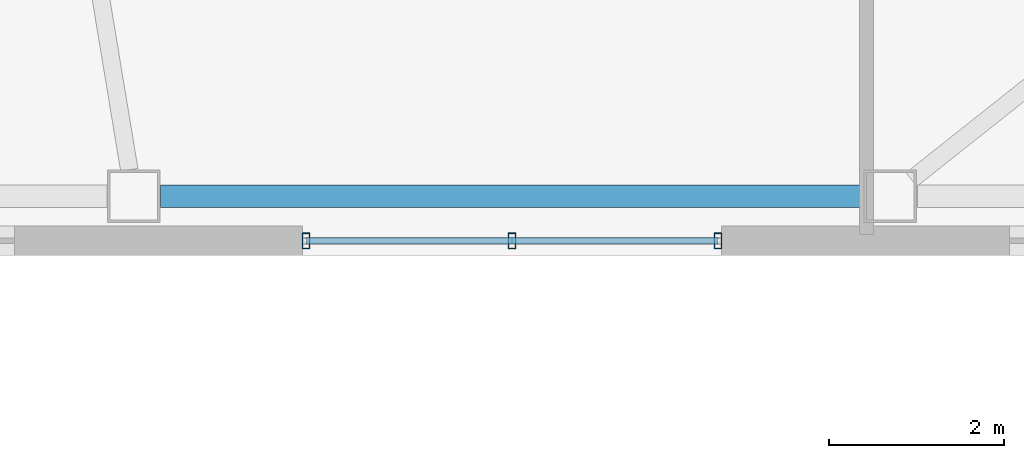
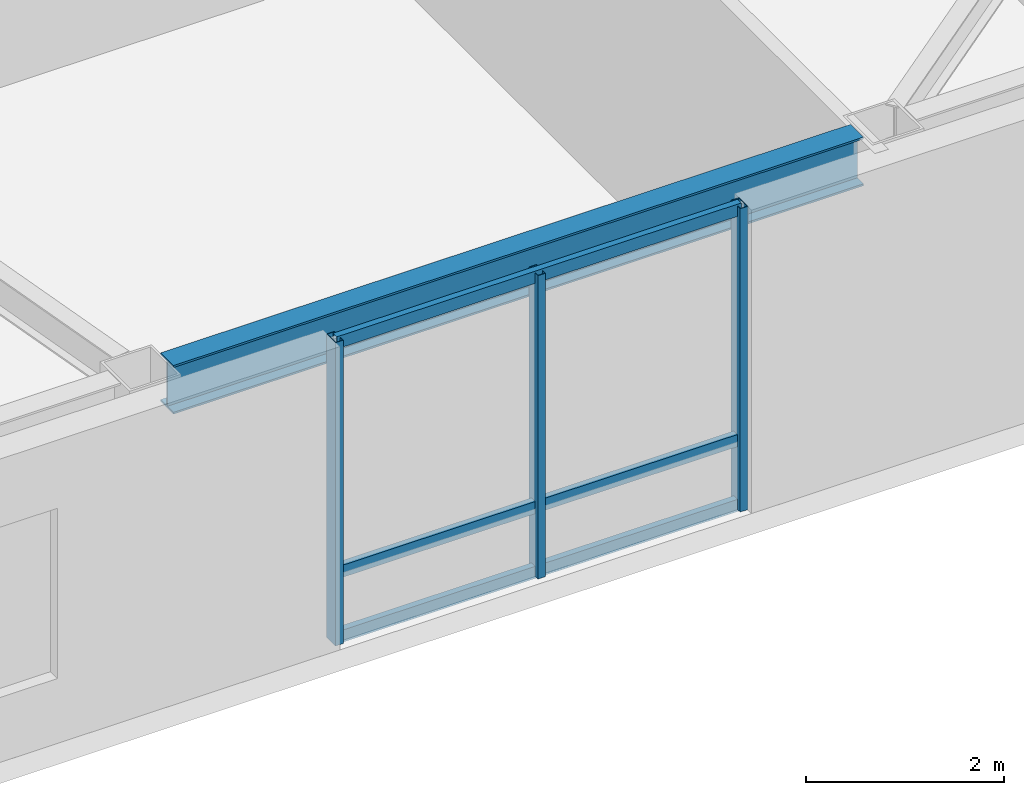
# One storey, part 6 of 18: 6 members, 1 beam, 1 element without a shape of its own.
"""IFC4 building model written with IfcOpenShell, lengths in metres."""

from ifc_helpers import new_model, si_unit, direction, frame, origin, origin_2d, place, context, subcontext, project, spatial, hollow_rectangle, i_section, extrude, material, layer, layer_set, material_profile, profile_set, type_object, element, aggregate, save


model = new_model("IFC4")

# Units and contexts
model_context = context("Model", 3, precision=1e-05, world=origin(), true_north=direction((0.0, 1.0)))
body_context = subcontext(model_context, "Body", "Model", "MODEL_VIEW")
ifc_project = project(units=[si_unit("LENGTHUNIT", "METRE"), si_unit("AREAUNIT", "SQUARE_METRE"), si_unit("VOLUMEUNIT", "CUBIC_METRE"), si_unit("PLANEANGLEUNIT", "RADIAN"), si_unit("MASSUNIT", "GRAM", prefix="KILO")], contexts=[model_context])

# Site, building, storey
site_placement = place(None, origin())
site = spatial("IfcSite", under=ifc_project, at=site_placement, CompositionType="ELEMENT")
building_placement = place(site_placement, origin())
building = spatial("IfcBuilding", under=site, at=building_placement, Name="Tavrogorsk Clinical Tower", CompositionType="ELEMENT")
storey_placement = place(building_placement, frame((0.0, 0.0, 184.199951171875)))
storey = spatial("IfcBuildingStorey", under=building, at=storey_placement, Name="L42", CompositionType="ELEMENT", Elevation=184.199951171875)

# Curtain wall, members
ifc_material_1 = material(Name="Anodised aluminium and triple IGU glazing", Category="aluminium")
ifc_layer = layer(ifc_material_1, 0.179931640625)
ifc_layer_set = layer_set([ifc_layer], Name="Anodised aluminium and triple IGU glazing")
curtain_wall_type = type_object("IfcCurtainWallType", Name="CW3_SouthSlot", PredefinedType="NOTDEFINED", material=ifc_layer_set)
curtain_wall_placement = place(storey_placement, origin())
curtain_wall = element("IfcCurtainWall", 1, at=curtain_wall_placement, inside=storey, type_object=curtain_wall_type, Name="L42 Curtain Wall CW-L42-S-SLOT-2", PredefinedType="NOTDEFINED")
ifc_material_2 = material(Name="Anodised aluminium alloy AW-6060", Category="aluminium")
ifc_material_profile_1 = material_profile(ifc_material_2, hollow_rectangle(XDim=0.090087890625, YDim=0.179931640625, WallThickness=0.00634765625, at=origin_2d()), Name="RHS-180x90x6.3")
ifc_profile_set_1 = profile_set([ifc_material_profile_1], Name="Anodised aluminium alloy AW-6060")
member_type_1 = type_object("IfcMemberType", Name="CwMullion_180x90", PredefinedType="MULLION", material=ifc_profile_set_1)
member_1_placement = place(storey_placement, frame((8.703857421875, -20.929931640625, 0.0), z_axis=(0.0, 0.0, 1.0), x_axis=(1.0, 0.0, 0.0)))
member_1 = element("IfcMember", 2, at=member_1_placement, type_object=member_type_1, Name="CW-L42-S-SLOT-2 Mullion 1", PredefinedType="MULLION", context=body_context, shape_type="SweptSolid", body=[
    extrude(hollow_rectangle(XDim=0.090087890625, YDim=0.179931640625, WallThickness=0.00634765625, at=origin_2d()), origin(), (0.0, 0.0, 1.0), 3.739990234375),
])
member_2_placement = place(storey_placement, frame((11.062744140625, -20.929931640625, 0.0), z_axis=(0.0, 0.0, 1.0), x_axis=(1.0, 0.0, 0.0)))
member_2 = element("IfcMember", 3, at=member_2_placement, type_object=member_type_1, Name="CW-L42-S-SLOT-2 Mullion 2", PredefinedType="MULLION", context=body_context, shape_type="SweptSolid", body=[
    extrude(hollow_rectangle(XDim=0.090087890625, YDim=0.179931640625, WallThickness=0.00634765625, at=origin_2d()), origin(), (0.0, 0.0, 1.0), 3.739990234375),
])
member_3_placement = place(storey_placement, frame((13.421875, -20.929931640625, 0.0), z_axis=(0.0, 0.0, 1.0), x_axis=(1.0, 0.0, 0.0)))
member_3 = element("IfcMember", 4, at=member_3_placement, type_object=member_type_1, Name="CW-L42-S-SLOT-2 Mullion 3", PredefinedType="MULLION", context=body_context, shape_type="SweptSolid", body=[
    extrude(hollow_rectangle(XDim=0.090087890625, YDim=0.179931640625, WallThickness=0.00634765625, at=origin_2d()), origin(), (0.0, 0.0, 1.0), 3.739990234375),
])
ifc_material_3 = material(Name="Anodised aluminium alloy AW-6060", Category="aluminium")
ifc_material_profile_2 = material_profile(ifc_material_3, hollow_rectangle(XDim=0.074951171875, YDim=0.14990234375, WallThickness=0.0048828125, at=origin_2d()), Name="RHS-150x75x5")
ifc_profile_set_2 = profile_set([ifc_material_profile_2], Name="Anodised aluminium alloy AW-6060")
member_type_2 = type_object("IfcMemberType", Name="CwTransom_150x75", PredefinedType="USERDEFINED", material=ifc_profile_set_2)
member_4_placement = place(storey_placement, frame((8.703857421875, -20.929931640625, 0.050048828125), z_axis=(1.0, 0.0, 0.0), x_axis=(0.0, 1.0, 0.0)))
member_4 = element("IfcMember", 5, at=member_4_placement, type_object=member_type_2, Name="CW-L42-S-SLOT-2 Transom 1", ObjectType="TRANSOM", PredefinedType="USERDEFINED", context=body_context, shape_type="SweptSolid", body=[
    extrude(hollow_rectangle(XDim=0.074951171875, YDim=0.14990234375, WallThickness=0.0048828125, at=origin_2d()), origin(), (0.0, 0.0, 1.0), 4.718017578125),
])
member_5_placement = place(storey_placement, frame((8.703857421875, -20.929931640625, 0.85009765625), z_axis=(1.0, 0.0, 0.0), x_axis=(0.0, 1.0, 0.0)))
member_5 = element("IfcMember", 6, at=member_5_placement, type_object=member_type_2, Name="CW-L42-S-SLOT-2 Transom 2", ObjectType="TRANSOM", PredefinedType="USERDEFINED", context=body_context, shape_type="SweptSolid", body=[
    extrude(hollow_rectangle(XDim=0.074951171875, YDim=0.14990234375, WallThickness=0.0048828125, at=origin_2d()), origin(), (0.0, 0.0, 1.0), 4.718017578125),
])
member_6_placement = place(storey_placement, frame((8.703857421875, -20.929931640625, 3.68994140625), z_axis=(1.0, 0.0, 0.0), x_axis=(0.0, 1.0, 0.0)))
member_6 = element("IfcMember", 7, at=member_6_placement, type_object=member_type_2, Name="CW-L42-S-SLOT-2 Transom 3", ObjectType="TRANSOM", PredefinedType="USERDEFINED", context=body_context, shape_type="SweptSolid", body=[
    extrude(hollow_rectangle(XDim=0.074951171875, YDim=0.14990234375, WallThickness=0.0048828125, at=origin_2d()), origin(), (0.0, 0.0, 1.0), 4.718017578125),
])
aggregate(curtain_wall, [member_1, member_2, member_3, member_4, member_5, member_6])

# Beam
ifc_material_4 = material(Name="Structural steel S390", Category="steel")
ifc_material_profile_3 = material_profile(ifc_material_4, i_section(OverallWidth=0.260009765625, OverallDepth=0.60009765625, WebThickness=0.014892578125, FlangeThickness=0.02392578125, at=origin_2d()), Name="B-600x260x15x24")
ifc_profile_set_3 = profile_set([ifc_material_profile_3], Name="Structural steel S390")
beam_type = type_object("IfcBeamType", Name="SpandrelBeam_B600", PredefinedType="SPANDREL", material=ifc_profile_set_3)
beam_placement = place(storey_placement, frame((7.039306640625, -20.419921875, 3.43994140625), z_axis=(1.0, 0.0, 0.0), x_axis=(0.0, 1.0, 0.0)))
element("IfcBeam", 8, at=beam_placement, inside=storey, type_object=beam_type, Name="L42 Perimeter Spandrel S5-S6", PredefinedType="SPANDREL", context=body_context, shape_type="SweptSolid", body=[
    extrude(i_section(OverallWidth=0.260009765625, OverallDepth=0.60009765625, WebThickness=0.014892578125, FlangeThickness=0.02392578125, at=origin_2d()), origin(), (0.0, 0.0, 1.0), 8.046875),
])

save(model, "model.ifc")
